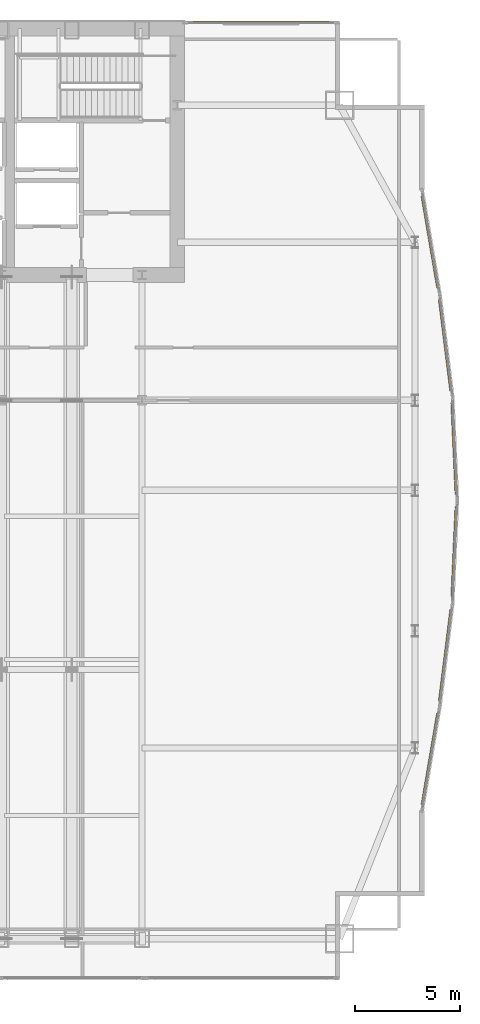
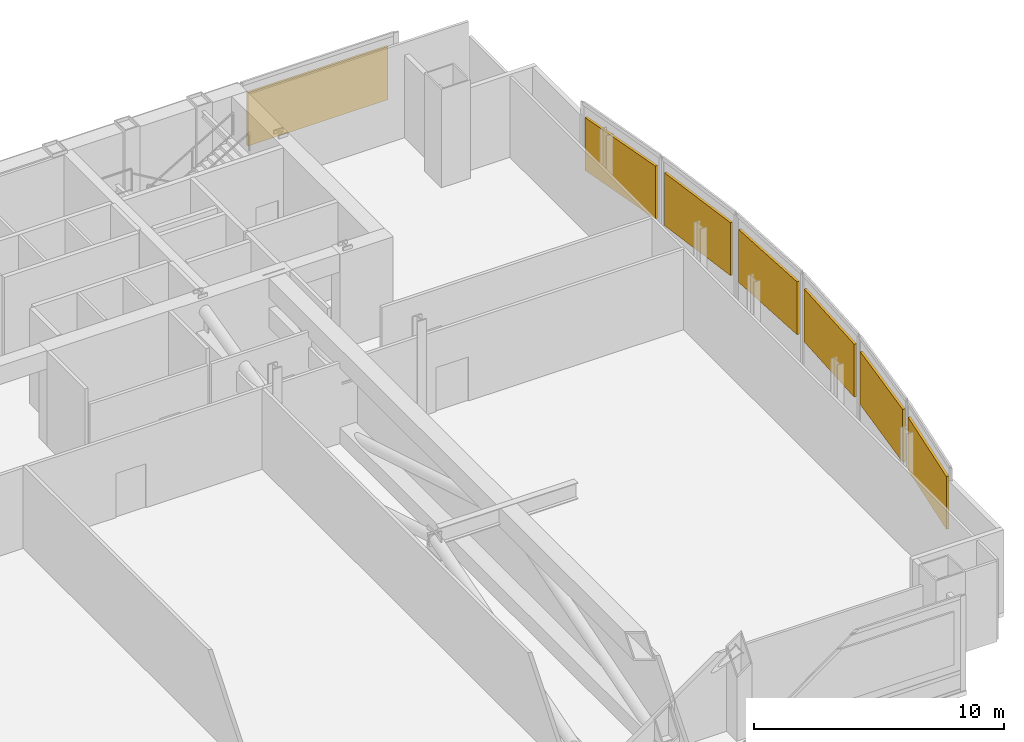
# One storey, part 30 of 30: 7 shading devices.
"""IFC4 building model written with IfcOpenShell, lengths in metres."""

import ifcopenshell
import ifcopenshell.guid

model = None  # the IFC model being written
_history = None  # IfcOwnerHistory: only IFC2X3 demands one
_inside = {}  # id of a spatial element -> (the spatial element, [elements in it])
_under = {}  # id of a project, library or spatial element -> (it, [spatial elements below it])
_declared = {}  # id of a project -> (the project, [libraries it declares])
_typed = {}  # id of a type object -> (the type object, [elements of that type])
_made_of = {}  # id of a material, layer set ... -> (it, [elements and type objects made of it])


def new_model(schema):
    """Start an empty IFC model of exactly this schema.

    Asked for "IFC4X3", IfcOpenShell would pick the latest addendum, in which some entities
    have other attributes; the version numbers below select the first issue.
    IFC2X3 requires an IfcOwnerHistory on every rooted entity: one is made here for all.
    """
    global model, _history
    if schema == "IFC4X3":
        model = ifcopenshell.file(schema_version=(4, 3, 0, 0))
    else:
        model = ifcopenshell.file(schema=schema)
    _inside.clear()
    _under.clear()
    _declared.clear()
    _typed.clear()
    _made_of.clear()
    _history = None
    if model.schema == "IFC2X3":
        org = make("IfcOrganization", Name="unknown")
        user = make(
            "IfcPersonAndOrganization",
            ThePerson=make("IfcPerson", FamilyName="unknown"),
            TheOrganization=org,
        )
        app = make(
            "IfcApplication",
            ApplicationDeveloper=org,
            Version="unknown",
            ApplicationFullName="unknown",
            ApplicationIdentifier="unknown",
        )
        _history = make(
            "IfcOwnerHistory",
            OwningUser=user,
            OwningApplication=app,
            ChangeAction="ADDED",
            CreationDate=0,
        )
    return model


def make(cls, **values):
    """One entity of the class cls with the attributes given. An attribute that is None is left unset."""
    return model.create_entity(
        cls, **{name: value for name, value in values.items() if value is not None}
    )


def rooted(cls, **values):
    """An entity with a GlobalId (a new one), such as an element, a storey or a relation."""
    return make(cls, GlobalId=ifcopenshell.guid.new(), OwnerHistory=_history, **values)


def si_unit(unit_type, name, prefix=None):
    """IfcSIUnit, for example si_unit("LENGTHUNIT", "METRE", prefix="MILLI")."""
    return make("IfcSIUnit", UnitType=unit_type, Prefix=prefix, Name=name)


def assignment(units):
    """IfcUnitAssignment: the units of a project."""
    return None if units is None else make("IfcUnitAssignment", Units=units)


def point(xyz):
    """IfcCartesianPoint."""
    return None if xyz is None else make("IfcCartesianPoint", Coordinates=xyz)


def direction(xyz):
    """IfcDirection."""
    return None if xyz is None else make("IfcDirection", DirectionRatios=xyz)


def frame(location, z_axis=None, x_axis=None):
    """IfcAxis2Placement3D, a coordinate frame: its origin and axes. An axis left out is left unset."""
    return make(
        "IfcAxis2Placement3D",
        Location=point(location),
        Axis=direction(z_axis),
        RefDirection=direction(x_axis),
    )


def frame_2d(location, x_axis=None):
    """IfcAxis2Placement2D, a coordinate frame in the plane: its origin and x axis."""
    return make(
        "IfcAxis2Placement2D", Location=point(location), RefDirection=direction(x_axis)
    )


def origin():
    """The frame at (0, 0, 0) with its axes left unset."""
    return frame((0.0, 0.0, 0.0))


def origin_2d():
    """The frame at (0, 0) in the plane with its x axis left unset."""
    return frame_2d((0.0, 0.0))


def place(relative_to, where):
    """IfcLocalPlacement: puts the frame where relative to a parent placement (None: the world)."""
    return make(
        "IfcLocalPlacement", PlacementRelTo=relative_to, RelativePlacement=where
    )


def context(
    kind, dimensions, precision=None, world=None, true_north=None, identifier=None
):
    """IfcGeometricRepresentationContext, for example the 3D "Model" context."""
    return make(
        "IfcGeometricRepresentationContext",
        ContextIdentifier=identifier,
        ContextType=kind,
        CoordinateSpaceDimension=dimensions,
        Precision=precision,
        WorldCoordinateSystem=world,
        TrueNorth=true_north,
    )


def subcontext(parent, identifier, kind, view, scale=None):
    """IfcGeometricRepresentationSubContext, for example "Body" below "Model"."""
    return make(
        "IfcGeometricRepresentationSubContext",
        ContextIdentifier=identifier,
        ContextType=kind,
        ParentContext=parent,
        TargetScale=scale,
        TargetView=view,
    )


def project(units=None, contexts=None):
    """IfcProject with its units and contexts."""
    return rooted(
        "IfcProject",
        Name="project",
        RepresentationContexts=contexts,
        UnitsInContext=assignment(units),
    )


def spatial(cls, under=None, at=None, **own):
    """A site, building, storey or space (cls), placed at a placement, below another one or the project."""
    s = rooted(cls, ObjectPlacement=at, **own)
    if under is not None:
        _under.setdefault(under.id(), (under, []))[1].append(s)
    return s


def profile(cls, at=None, kind="AREA", **sizes):
    """A parametric profile (cls). Its sizes go by their IFC names, for example OverallWidth=200.0."""
    return make(cls, ProfileType=kind, Position=at, **sizes)


def rectangle(**sizes):
    """IfcRectangleProfileDef."""
    return profile("IfcRectangleProfileDef", **sizes)


def extrude(swept, where, along, depth):
    """IfcExtrudedAreaSolid: the profile swept, set in the frame where, extruded along a direction by depth."""
    return make(
        "IfcExtrudedAreaSolid",
        SweptArea=swept,
        Position=where,
        ExtrudedDirection=direction(along),
        Depth=depth,
    )


def shape(context_of_items, identifier, shape_type, items):
    """IfcShapeRepresentation: the items that make up one representation, for example the "Body"."""
    return make(
        "IfcShapeRepresentation",
        ContextOfItems=context_of_items,
        RepresentationIdentifier=identifier,
        RepresentationType=shape_type,
        Items=items,
    )


def material(Name=None, Category=None):
    """IfcMaterial."""
    return make("IfcMaterial", Name=Name, Category=Category)


def layer(
    of_material, thickness, ventilated=None, Name=None, Category=None, Priority=None
):
    """IfcMaterialLayer: one layer of a wall or slab, of a material (None: an air gap)."""
    return make(
        "IfcMaterialLayer",
        Material=of_material,
        LayerThickness=thickness,
        IsVentilated=ventilated,
        Name=Name,
        Category=Category,
        Priority=Priority,
    )


def layer_set(layers, Name=None):
    """IfcMaterialLayerSet."""
    return make("IfcMaterialLayerSet", MaterialLayers=layers, LayerSetName=Name)


def made_of(thing, what):
    """Note that an element or type object is made of a material, layer set ...; save() writes the relation."""
    if what is not None:
        _made_of.setdefault(what.id(), (what, []))[1].append(thing)
    return thing


def type_object(cls, material=None, **own):
    """A type object (cls), such as IfcWallType, which elements share."""
    return made_of(rooted(cls, **own), material)


def element(
    cls,
    number,
    at=None,
    inside=None,
    cuts=None,
    type_object=None,
    material=None,
    context=None,
    identifier="Body",
    shape_type=None,
    held_by="IfcProductDefinitionShape",
    body=None,
    shapes=None,
    **own,
):
    """One element of the class cls, such as IfcWall. Its Tag is "e" and its number.

    at: its placement. inside: the storey or other place that contains it. cuts: it is an
    opening in that element (IfcRelVoidsElement). A single representation is given by context,
    identifier, shape_type and body (its items); several are given by shapes. held_by: the class
    of the entity that holds the representations. save() writes the other relations.
    """
    e = rooted(cls, Tag="e%d" % number, ObjectPlacement=at, **own)
    if body is not None:
        shapes = [shape(context, identifier, shape_type, body)]
    if shapes is not None:
        e.Representation = make(held_by, Representations=shapes)
    if inside is not None:
        _inside.setdefault(inside.id(), (inside, []))[1].append(e)
    if cuts is not None:
        rooted(
            "IfcRelVoidsElement", RelatingBuildingElement=cuts, RelatedOpeningElement=e
        )
    if type_object is not None:
        _typed.setdefault(type_object.id(), (type_object, []))[1].append(e)
    return made_of(e, material)


def aggregate(whole, parts):
    """IfcRelAggregates: a whole, such as a stair, and the parts it consists of."""
    return rooted("IfcRelAggregates", RelatingObject=whole, RelatedObjects=parts)


def save(model, path):
    """Write the relations noted so far, then the file.

    IfcRelAggregates (storeys below a building ...), IfcRelContainedInSpatialStructure (elements
    in a storey), IfcRelDefinesByType, IfcRelAssociatesMaterial and IfcRelDeclares: one each for
    every whole, place, type object, material and project.
    """
    for whole, parts in _under.values():
        aggregate(whole, parts)
    for where, things in _inside.values():
        rooted(
            "IfcRelContainedInSpatialStructure",
            RelatedElements=things,
            RelatingStructure=where,
        )
    for kind, things in _typed.values():
        rooted("IfcRelDefinesByType", RelatedObjects=things, RelatingType=kind)
    for what, things in _made_of.values():
        rooted("IfcRelAssociatesMaterial", RelatedObjects=things, RelatingMaterial=what)
    for by, libraries in _declared.values():
        rooted("IfcRelDeclares", RelatingContext=by, RelatedDefinitions=libraries)
    model.write(path)


model = new_model("IFC4")

# Units and contexts
model_context = context("Model", 3, precision=1e-05, world=origin(), true_north=direction((0.0, 1.0)))
body_context = subcontext(model_context, "Body", "Model", "MODEL_VIEW")
ifc_project = project(units=[si_unit("LENGTHUNIT", "METRE"), si_unit("AREAUNIT", "SQUARE_METRE"), si_unit("VOLUMEUNIT", "CUBIC_METRE"), si_unit("PLANEANGLEUNIT", "RADIAN"), si_unit("MASSUNIT", "GRAM", prefix="KILO")], contexts=[model_context])

# Site, building, storey
site_placement = place(None, origin())
site = spatial("IfcSite", under=ifc_project, at=site_placement, CompositionType="ELEMENT")
building_placement = place(site_placement, origin())
building = spatial("IfcBuilding", under=site, at=building_placement, Name="Khoronbel Lancet Exchange", CompositionType="ELEMENT")
storey_placement = place(building_placement, frame((0.0, 0.0, 172.199951171875)))
storey = spatial("IfcBuildingStorey", under=building, at=storey_placement, Name="L43", CompositionType="ELEMENT", Elevation=172.199951171875)

# Shading devices
ifc_material = material(Name="Bronze-Anodised Aluminium 6063-T6", Category="aluminium")
ifc_layer = layer(ifc_material, 0.1201171875, Name="Bronze-Anodised Aluminium 6063-T6")
ifc_layer_set = layer_set([ifc_layer], Name="Bronze-Anodised Aluminium 6063-T6")
shading_device_type = type_object("IfcShadingDeviceType", Name="SHD-LVR1", PredefinedType="JALOUSIE", material=ifc_layer_set)
shading_device_1_placement = place(storey_placement, frame((60.320068359375, 53.64990234375, 1.47119140625), z_axis=(0.0, 0.0, 1.0), x_axis=(-1.0, 0.0, 0.0)))
element("IfcShadingDevice", 1, at=shading_device_1_placement, inside=storey, type_object=shading_device_type, Name="Sand-trap bronze acoustic louvre CW-L43-NEFLK-1", PredefinedType="JALOUSIE", context=body_context, shape_type="SweptSolid", body=[
    extrude(rectangle(XDim=6.470947265625, YDim=0.1201171875, at=origin_2d()), origin(), (0.0, 0.0, 1.0), 2.57763671875),
])
shading_device_2_placement = place(storey_placement, frame((68.340087890625, 43.224609375, 1.47119140625), z_axis=(0.0, 0.0, 1.0), x_axis=(0.168009300828, -0.985785410135, 0.0)))
element("IfcShadingDevice", 2, at=shading_device_2_placement, inside=storey, type_object=shading_device_type, Name="Sand-trap bronze acoustic louvre CW-L43-E17-1", PredefinedType="JALOUSIE", context=body_context, shape_type="SweptSolid", body=[
    extrude(rectangle(XDim=4.412841796875, YDim=0.1201171875, at=origin_2d()), origin(), (0.0, 0.0, 1.0), 2.57763671875),
])
shading_device_3_placement = place(storey_placement, frame((69.065673828125, 38.309814453125, 1.47119140625), z_axis=(0.0, 0.0, 1.0), x_axis=(0.123838274483, -0.992302414475, 0.0)))
element("IfcShadingDevice", 3, at=shading_device_3_placement, inside=storey, type_object=shading_device_type, Name="Sand-trap bronze acoustic louvre CW-L43-E18-1", PredefinedType="JALOUSIE", context=body_context, shape_type="SweptSolid", body=[
    extrude(rectangle(XDim=4.373291015625, YDim=0.1201171875, at=origin_2d()), origin(), (0.0, 0.0, 1.0), 2.57763671875),
])
for number, where, z_axis, x_axis, name in (
    (4, (69.48388671875, 33.402587890625, 1.47119140625), (0.0, 0.0, 1.0), (0.045602424407, -0.998959668299, 0.0), "Sand-trap bronze acoustic louvre CW-L43-E19-1"),
    (5, (69.48388671875, 28.497314453125, 1.47119140625), (0.0, 0.0, 1.0), (-0.045602424407, -0.998959668299, 0.0), "Sand-trap bronze acoustic louvre CW-L43-E20-1"),
):
    element("IfcShadingDevice", number, at=place(storey_placement, frame(where, z_axis=z_axis, x_axis=x_axis)), inside=storey, type_object=shading_device_type, Name=name, PredefinedType="JALOUSIE", context=body_context, shape_type="SweptSolid", body=[
        extrude(rectangle(XDim=4.341796875, YDim=0.1201171875, at=origin_2d()), origin(), (0.0, 0.0, 1.0), 2.57763671875),
    ])
shading_device_4_placement = place(storey_placement, frame((69.065673828125, 23.59033203125, 1.47119140625), z_axis=(0.0, 0.0, 1.0), x_axis=(-0.123838274483, -0.992302414475, 0.0)))
element("IfcShadingDevice", 6, at=shading_device_4_placement, inside=storey, type_object=shading_device_type, Name="Sand-trap bronze acoustic louvre CW-L43-E21-1", PredefinedType="JALOUSIE", context=body_context, shape_type="SweptSolid", body=[
    extrude(rectangle(XDim=4.373291015625, YDim=0.1201171875, at=origin_2d()), origin(), (0.0, 0.0, 1.0), 2.57763671875),
])
shading_device_5_placement = place(storey_placement, frame((68.340087890625, 18.67529296875, 1.47119140625), z_axis=(0.0, 0.0, 1.0), x_axis=(-0.168009300828, -0.985785410135, 0.0)))
element("IfcShadingDevice", 7, at=shading_device_5_placement, inside=storey, type_object=shading_device_type, Name="Sand-trap bronze acoustic louvre CW-L43-E22-1", PredefinedType="JALOUSIE", context=body_context, shape_type="SweptSolid", body=[
    extrude(rectangle(XDim=4.412841796875, YDim=0.1201171875, at=origin_2d()), origin(), (0.0, 0.0, 1.0), 2.57763671875),
])

save(model, "model.ifc")
